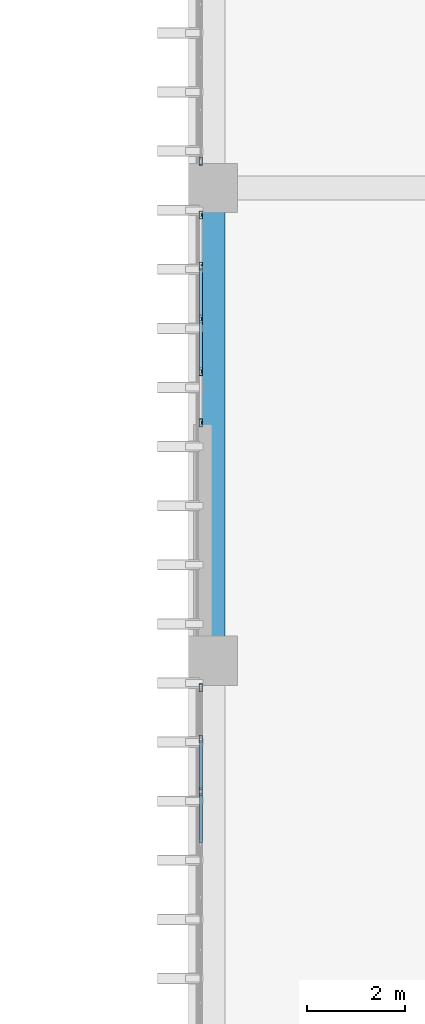
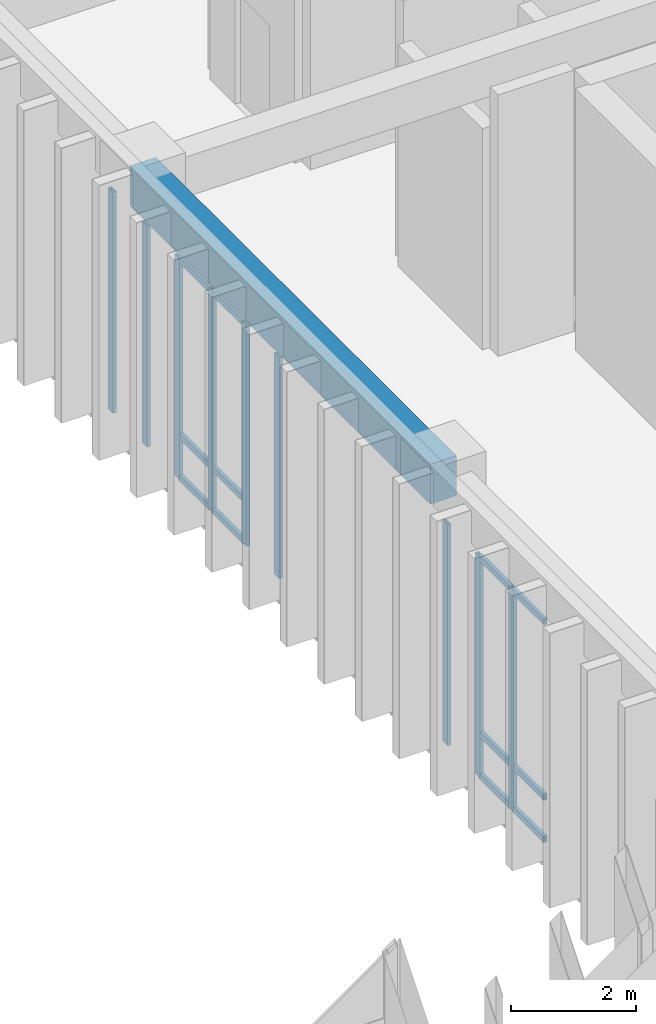
# One storey, part 80 of 134: 21 members, 1 beam, 3 elements without a shape of their own.
"""IFC4 building model written with IfcOpenShell, lengths in metres."""

from ifc_helpers import new_model, si_unit, direction, frame, origin, origin_2d, place, context, subcontext, project, spatial, rectangle, hollow_rectangle, extrude, material, layer, layer_set, material_profile, profile_set, type_object, element, aggregate, save


model = new_model("IFC4")

# Units and contexts
model_context = context("Model", 3, precision=1e-05, world=origin(), true_north=direction((0.0, 1.0)))
body_context = subcontext(model_context, "Body", "Model", "MODEL_VIEW")
ifc_project = project(units=[si_unit("LENGTHUNIT", "METRE"), si_unit("AREAUNIT", "SQUARE_METRE"), si_unit("VOLUMEUNIT", "CUBIC_METRE"), si_unit("PLANEANGLEUNIT", "RADIAN"), si_unit("MASSUNIT", "GRAM", prefix="KILO")], contexts=[model_context])

# Site, building, storey
site_placement = place(None, origin())
site = spatial("IfcSite", under=ifc_project, at=site_placement, CompositionType="ELEMENT")
building_placement = place(site_placement, origin())
building = spatial("IfcBuilding", under=site, at=building_placement, Name="Nakhvara Creek Congress Hotel", CompositionType="ELEMENT")
storey_placement = place(building_placement, frame((0.0, 0.0, 6.0)))
storey = spatial("IfcBuildingStorey", under=building, at=storey_placement, Name="L01", CompositionType="ELEMENT", Elevation=6.0)

# Beam
ifc_material_1 = material(Name="Concrete C40/50", Category="concrete")
ifc_material_profile_1 = material_profile(ifc_material_1, rectangle(XDim=0.47998046875, YDim=0.780029296875, at=origin_2d()), Name="RC-BM 480x780", Category="LoadBearing")
ifc_profile_set_1 = profile_set([ifc_material_profile_1], Name="Concrete C40/50")
beam_type = type_object("IfcBeamType", Name="BM-RC-480X780", PredefinedType="BEAM", material=ifc_profile_set_1)
beam_placement = place(storey_placement, frame((149.449951171875, 105.60009765625, 4.7099609375), z_axis=(0.0, 1.0, 0.0), x_axis=(-1.0, 0.0, 0.0)))
element("IfcBeam", 1, at=beam_placement, inside=storey, type_object=beam_type, Name="Beam B13-L01-1293", PredefinedType="BEAM", context=body_context, shape_type="SweptSolid", body=[
    extrude(rectangle(XDim=0.47998046875, YDim=0.780029296875, at=origin_2d()), origin(), (0.0, 0.0, 1.0), 9.599853515625),
])

# Curtain wall, members
ifc_material_2 = material(Name="Bronze-anodised aluminium AW-6063-T6 and double-silver low-E glass", Category="aluminium")
ifc_layer = layer(ifc_material_2, 0.199951171875)
ifc_layer_set = layer_set([ifc_layer], Name="Bronze-anodised aluminium AW-6063-T6 and double-silver low-E glass")
curtain_wall_type = type_object("IfcCurtainWallType", Name="CW-HTL-UNIT", PredefinedType="USERDEFINED", material=ifc_layer_set)
curtain_wall_1_placement = place(storey_placement, origin())
curtain_wall_1 = element("IfcCurtainWall", 2, at=curtain_wall_1_placement, inside=storey, type_object=curtain_wall_type, Name="Curtain Wall CW122", ObjectType="UNITISED", PredefinedType="USERDEFINED")
ifc_material_3 = material(Name="Bronze-anodised aluminium AW-6063-T6", Category="aluminium")
ifc_material_profile_2 = material_profile(ifc_material_3, hollow_rectangle(XDim=0.06494140625, YDim=0.159912109375, WallThickness=0.00390625, at=origin_2d()), Name="ALU-MULL 65x160x4", Category="LoadBearing")
ifc_profile_set_2 = profile_set([ifc_material_profile_2], Name="Bronze-anodised aluminium AW-6063-T6")
member_type_1 = type_object("IfcMemberType", Name="CW-MULL-160", PredefinedType="MULLION", material=ifc_profile_set_2)
member_1_placement = place(storey_placement, frame((149.199951171875, 102.9423828125, 0.0), z_axis=(0.0, 0.0, 1.0), x_axis=(-1.0, 0.0, 0.0)))
member_1 = element("IfcMember", 3, at=member_1_placement, type_object=member_type_1, Name="CW122 mullion 3", PredefinedType="MULLION", context=body_context, shape_type="SweptSolid", body=[
    extrude(hollow_rectangle(XDim=0.06494140625, YDim=0.159912109375, WallThickness=0.00390625, at=origin_2d()), origin(), (0.0, 0.0, 1.0), 4.31201171875),
])
member_2_placement = place(storey_placement, frame((149.199951171875, 104.013671875, 0.0), z_axis=(0.0, 0.0, 1.0), x_axis=(-1.0, 0.0, 0.0)))
member_2 = element("IfcMember", 4, at=member_2_placement, type_object=member_type_1, Name="CW122 mullion 4", PredefinedType="MULLION", context=body_context, shape_type="SweptSolid", body=[
    extrude(hollow_rectangle(XDim=0.06494140625, YDim=0.159912109375, WallThickness=0.00390625, at=origin_2d()), origin(), (0.0, 0.0, 1.0), 4.31201171875),
])
member_3_placement = place(storey_placement, frame((149.199951171875, 105.052490234375, 0.0), z_axis=(0.0, 0.0, 1.0), x_axis=(-1.0, 0.0, 0.0)))
member_3 = element("IfcMember", 5, at=member_3_placement, type_object=member_type_1, Name="CW122 mullion 5", PredefinedType="MULLION", context=body_context, shape_type="SweptSolid", body=[
    extrude(hollow_rectangle(XDim=0.06494140625, YDim=0.159912109375, WallThickness=0.00390625, at=origin_2d()), origin(), (0.0, 0.0, 1.0), 4.31201171875),
])

curtain_wall_2_placement = place(storey_placement, origin())
curtain_wall_2 = element("IfcCurtainWall", 6, at=curtain_wall_2_placement, inside=storey, type_object=curtain_wall_type, Name="Curtain Wall CW124", ObjectType="UNITISED", PredefinedType="USERDEFINED")
member_4_placement = place(storey_placement, frame((149.199951171875, 110.4326171875, 0.0), z_axis=(0.0, 0.0, 1.0), x_axis=(-1.0, 0.0, 0.0)))
member_4 = element("IfcMember", 7, at=member_4_placement, type_object=member_type_1, Name="CW124 mullion 1", PredefinedType="MULLION", context=body_context, shape_type="SweptSolid", body=[
    extrude(hollow_rectangle(XDim=0.06494140625, YDim=0.159912109375, WallThickness=0.00390625, at=origin_2d()), origin(), (0.0, 0.0, 1.0), 4.31201171875),
])
member_5_placement = place(storey_placement, frame((149.199951171875, 111.47119140625, 0.0), z_axis=(0.0, 0.0, 1.0), x_axis=(-1.0, 0.0, 0.0)))
member_5 = element("IfcMember", 8, at=member_5_placement, type_object=member_type_1, Name="CW124 mullion 2", PredefinedType="MULLION", context=body_context, shape_type="SweptSolid", body=[
    extrude(hollow_rectangle(XDim=0.06494140625, YDim=0.159912109375, WallThickness=0.00390625, at=origin_2d()), origin(), (0.0, 0.0, 1.0), 4.31201171875),
])
member_6_placement = place(storey_placement, frame((149.199951171875, 112.54248046875, 0.0), z_axis=(0.0, 0.0, 1.0), x_axis=(-1.0, 0.0, 0.0)))
member_6 = element("IfcMember", 9, at=member_6_placement, type_object=member_type_1, Name="CW124 mullion 3", PredefinedType="MULLION", context=body_context, shape_type="SweptSolid", body=[
    extrude(hollow_rectangle(XDim=0.06494140625, YDim=0.159912109375, WallThickness=0.00390625, at=origin_2d()), origin(), (0.0, 0.0, 1.0), 4.31201171875),
])
member_7_placement = place(storey_placement, frame((149.199951171875, 113.61376953125, 0.0), z_axis=(0.0, 0.0, 1.0), x_axis=(-1.0, 0.0, 0.0)))
member_7 = element("IfcMember", 10, at=member_7_placement, type_object=member_type_1, Name="CW124 mullion 4", PredefinedType="MULLION", context=body_context, shape_type="SweptSolid", body=[
    extrude(hollow_rectangle(XDim=0.06494140625, YDim=0.159912109375, WallThickness=0.00390625, at=origin_2d()), origin(), (0.0, 0.0, 1.0), 4.31201171875),
])
member_8_placement = place(storey_placement, frame((149.199951171875, 114.652587890625, 0.0), z_axis=(0.0, 0.0, 1.0), x_axis=(-1.0, 0.0, 0.0)))
member_8 = element("IfcMember", 11, at=member_8_placement, type_object=member_type_1, Name="CW124 mullion 5", PredefinedType="MULLION", context=body_context, shape_type="SweptSolid", body=[
    extrude(hollow_rectangle(XDim=0.06494140625, YDim=0.159912109375, WallThickness=0.00390625, at=origin_2d()), origin(), (0.0, 0.0, 1.0), 4.31201171875),
])

# Curtain wall, member
curtain_wall_3_placement = place(storey_placement, origin())
curtain_wall_3 = element("IfcCurtainWall", 12, at=curtain_wall_3_placement, inside=storey, type_object=curtain_wall_type, Name="Curtain Wall CW126", ObjectType="UNITISED", PredefinedType="USERDEFINED")
member_9_placement = place(storey_placement, frame((149.199951171875, 115.74755859375, 0.0), z_axis=(0.0, 0.0, 1.0), x_axis=(-1.0, 0.0, 0.0)))
member_9 = element("IfcMember", 13, at=member_9_placement, type_object=member_type_1, Name="CW126 mullion 1", PredefinedType="MULLION", context=body_context, shape_type="SweptSolid", body=[
    extrude(hollow_rectangle(XDim=0.06494140625, YDim=0.159912109375, WallThickness=0.00390625, at=origin_2d()), origin(), (0.0, 0.0, 1.0), 4.31201171875),
])
aggregate(curtain_wall_3, [member_9])

# Member
ifc_material_profile_3 = material_profile(ifc_material_3, hollow_rectangle(XDim=0.06494140625, YDim=0.1201171875, WallThickness=0.00390625, at=origin_2d()), Name="ALU-TRAN 65x120x4", Category="LoadBearing")
ifc_profile_set_3 = profile_set([ifc_material_profile_3], Name="Bronze-anodised aluminium AW-6063-T6")
member_type_2 = type_object("IfcMemberType", Name="CW-TRAN-120", PredefinedType="USERDEFINED", material=ifc_profile_set_3)
member_10_placement = place(storey_placement, frame((149.199951171875, 101.90380859375, 0.032470703125), z_axis=(0.0, 1.0, 0.0), x_axis=(-1.0, 0.0, 0.0)))
member_10 = element("IfcMember", 14, at=member_10_placement, type_object=member_type_2, Name="CW122 transom 2.1", ObjectType="TRANSOM", PredefinedType="USERDEFINED", context=body_context, shape_type="SweptSolid", body=[
    extrude(hollow_rectangle(XDim=0.06494140625, YDim=0.1201171875, WallThickness=0.00390625, at=origin_2d()), origin(), (0.0, 0.0, 1.0), 1.006103515625),
])

member_11_placement = place(storey_placement, frame((149.199951171875, 101.90380859375, 0.85009765625), z_axis=(0.0, 1.0, 0.0), x_axis=(-1.0, 0.0, 0.0)))
member_11 = element("IfcMember", 15, at=member_11_placement, type_object=member_type_2, Name="CW122 transom 2.2", ObjectType="TRANSOM", PredefinedType="USERDEFINED", context=body_context, shape_type="SweptSolid", body=[
    extrude(hollow_rectangle(XDim=0.06494140625, YDim=0.1201171875, WallThickness=0.00390625, at=origin_2d()), origin(), (0.0, 0.0, 1.0), 1.006103515625),
])

member_12_placement = place(storey_placement, frame((149.199951171875, 101.90380859375, 4.279541015625), z_axis=(0.0, 1.0, 0.0), x_axis=(-1.0, 0.0, 0.0)))
member_12 = element("IfcMember", 16, at=member_12_placement, type_object=member_type_2, Name="CW122 transom 2.3", ObjectType="TRANSOM", PredefinedType="USERDEFINED", context=body_context, shape_type="SweptSolid", body=[
    extrude(hollow_rectangle(XDim=0.06494140625, YDim=0.1201171875, WallThickness=0.00390625, at=origin_2d()), origin(), (0.0, 0.0, 1.0), 1.006103515625),
])

member_13_placement = place(storey_placement, frame((149.199951171875, 102.97509765625, 0.032470703125), z_axis=(0.0, 1.0, 0.0), x_axis=(-1.0, 0.0, 0.0)))
member_13 = element("IfcMember", 17, at=member_13_placement, type_object=member_type_2, Name="CW122 transom 3.1", ObjectType="TRANSOM", PredefinedType="USERDEFINED", context=body_context, shape_type="SweptSolid", body=[
    extrude(hollow_rectangle(XDim=0.06494140625, YDim=0.1201171875, WallThickness=0.00390625, at=origin_2d()), origin(), (0.0, 0.0, 1.0), 1.006103515625),
])

member_14_placement = place(storey_placement, frame((149.199951171875, 102.97509765625, 0.85009765625), z_axis=(0.0, 1.0, 0.0), x_axis=(-1.0, 0.0, 0.0)))
member_14 = element("IfcMember", 18, at=member_14_placement, type_object=member_type_2, Name="CW122 transom 3.2", ObjectType="TRANSOM", PredefinedType="USERDEFINED", context=body_context, shape_type="SweptSolid", body=[
    extrude(hollow_rectangle(XDim=0.06494140625, YDim=0.1201171875, WallThickness=0.00390625, at=origin_2d()), origin(), (0.0, 0.0, 1.0), 1.006103515625),
])

member_15_placement = place(storey_placement, frame((149.199951171875, 102.97509765625, 4.279541015625), z_axis=(0.0, 1.0, 0.0), x_axis=(-1.0, 0.0, 0.0)))
member_15 = element("IfcMember", 19, at=member_15_placement, type_object=member_type_2, Name="CW122 transom 3.3", ObjectType="TRANSOM", PredefinedType="USERDEFINED", context=body_context, shape_type="SweptSolid", body=[
    extrude(hollow_rectangle(XDim=0.06494140625, YDim=0.1201171875, WallThickness=0.00390625, at=origin_2d()), origin(), (0.0, 0.0, 1.0), 1.006103515625),
])

aggregate(curtain_wall_1, [member_1, member_2, member_3, member_10, member_11, member_12, member_13, member_14, member_15])

member_16_placement = place(storey_placement, frame((149.199951171875, 111.503662109375, 0.032470703125), z_axis=(0.0, 1.0, 0.0), x_axis=(-1.0, 0.0, 0.0)))
member_16 = element("IfcMember", 20, at=member_16_placement, type_object=member_type_2, Name="CW124 transom 2.1", ObjectType="TRANSOM", PredefinedType="USERDEFINED", context=body_context, shape_type="SweptSolid", body=[
    extrude(hollow_rectangle(XDim=0.06494140625, YDim=0.1201171875, WallThickness=0.00390625, at=origin_2d()), origin(), (0.0, 0.0, 1.0), 1.00634765625),
])

member_17_placement = place(storey_placement, frame((149.199951171875, 111.503662109375, 0.85009765625), z_axis=(0.0, 1.0, 0.0), x_axis=(-1.0, 0.0, 0.0)))
member_17 = element("IfcMember", 21, at=member_17_placement, type_object=member_type_2, Name="CW124 transom 2.2", ObjectType="TRANSOM", PredefinedType="USERDEFINED", context=body_context, shape_type="SweptSolid", body=[
    extrude(hollow_rectangle(XDim=0.06494140625, YDim=0.1201171875, WallThickness=0.00390625, at=origin_2d()), origin(), (0.0, 0.0, 1.0), 1.00634765625),
])

member_18_placement = place(storey_placement, frame((149.199951171875, 111.503662109375, 4.279541015625), z_axis=(0.0, 1.0, 0.0), x_axis=(-1.0, 0.0, 0.0)))
member_18 = element("IfcMember", 22, at=member_18_placement, type_object=member_type_2, Name="CW124 transom 2.3", ObjectType="TRANSOM", PredefinedType="USERDEFINED", context=body_context, shape_type="SweptSolid", body=[
    extrude(hollow_rectangle(XDim=0.06494140625, YDim=0.1201171875, WallThickness=0.00390625, at=origin_2d()), origin(), (0.0, 0.0, 1.0), 1.00634765625),
])

member_19_placement = place(storey_placement, frame((149.199951171875, 112.574951171875, 0.032470703125), z_axis=(0.0, 1.0, 0.0), x_axis=(-1.0, 0.0, 0.0)))
member_19 = element("IfcMember", 23, at=member_19_placement, type_object=member_type_2, Name="CW124 transom 3.1", ObjectType="TRANSOM", PredefinedType="USERDEFINED", context=body_context, shape_type="SweptSolid", body=[
    extrude(hollow_rectangle(XDim=0.06494140625, YDim=0.1201171875, WallThickness=0.00390625, at=origin_2d()), origin(), (0.0, 0.0, 1.0), 1.00634765625),
])

member_20_placement = place(storey_placement, frame((149.199951171875, 112.574951171875, 0.85009765625), z_axis=(0.0, 1.0, 0.0), x_axis=(-1.0, 0.0, 0.0)))
member_20 = element("IfcMember", 24, at=member_20_placement, type_object=member_type_2, Name="CW124 transom 3.2", ObjectType="TRANSOM", PredefinedType="USERDEFINED", context=body_context, shape_type="SweptSolid", body=[
    extrude(hollow_rectangle(XDim=0.06494140625, YDim=0.1201171875, WallThickness=0.00390625, at=origin_2d()), origin(), (0.0, 0.0, 1.0), 1.00634765625),
])

member_21_placement = place(storey_placement, frame((149.199951171875, 112.574951171875, 4.279541015625), z_axis=(0.0, 1.0, 0.0), x_axis=(-1.0, 0.0, 0.0)))
member_21 = element("IfcMember", 25, at=member_21_placement, type_object=member_type_2, Name="CW124 transom 3.3", ObjectType="TRANSOM", PredefinedType="USERDEFINED", context=body_context, shape_type="SweptSolid", body=[
    extrude(hollow_rectangle(XDim=0.06494140625, YDim=0.1201171875, WallThickness=0.00390625, at=origin_2d()), origin(), (0.0, 0.0, 1.0), 1.00634765625),
])

aggregate(curtain_wall_2, [member_4, member_5, member_6, member_7, member_8, member_16, member_17, member_18, member_19, member_20, member_21])

save(model, "model.ifc")
